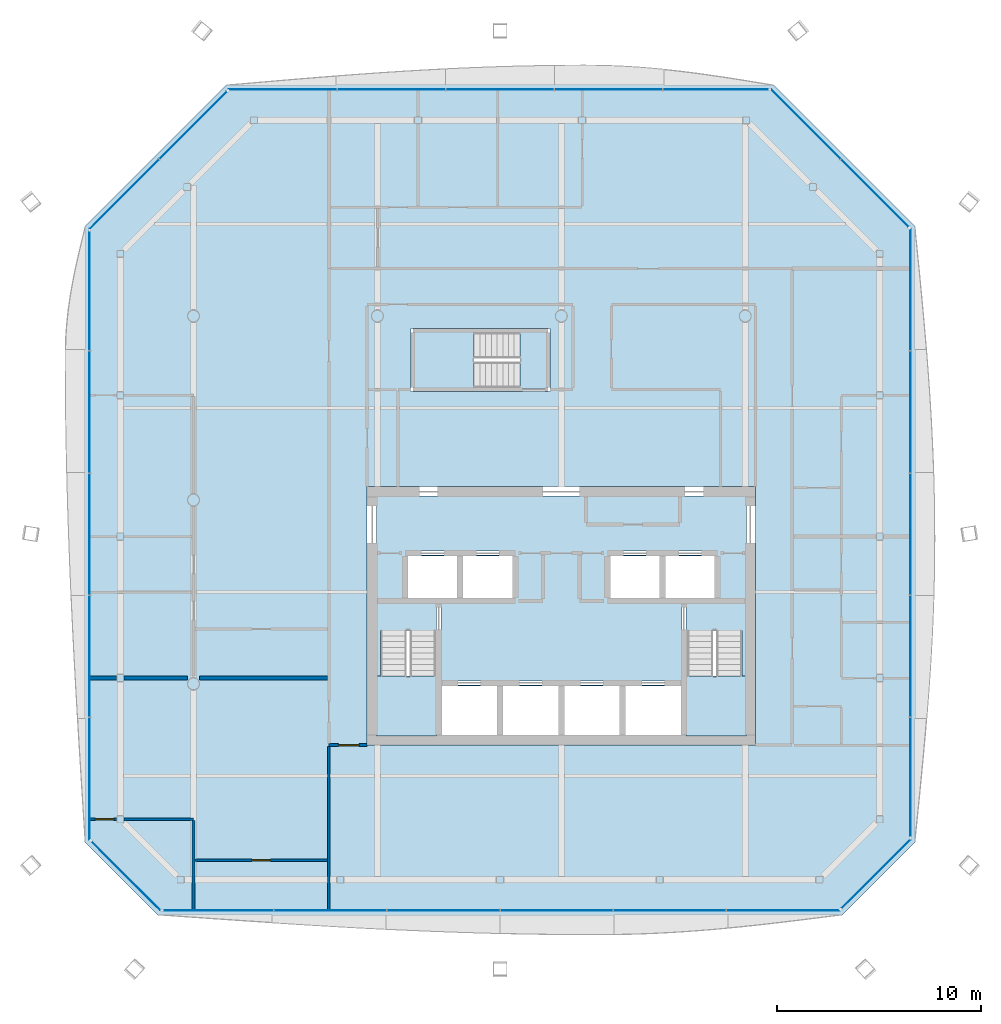
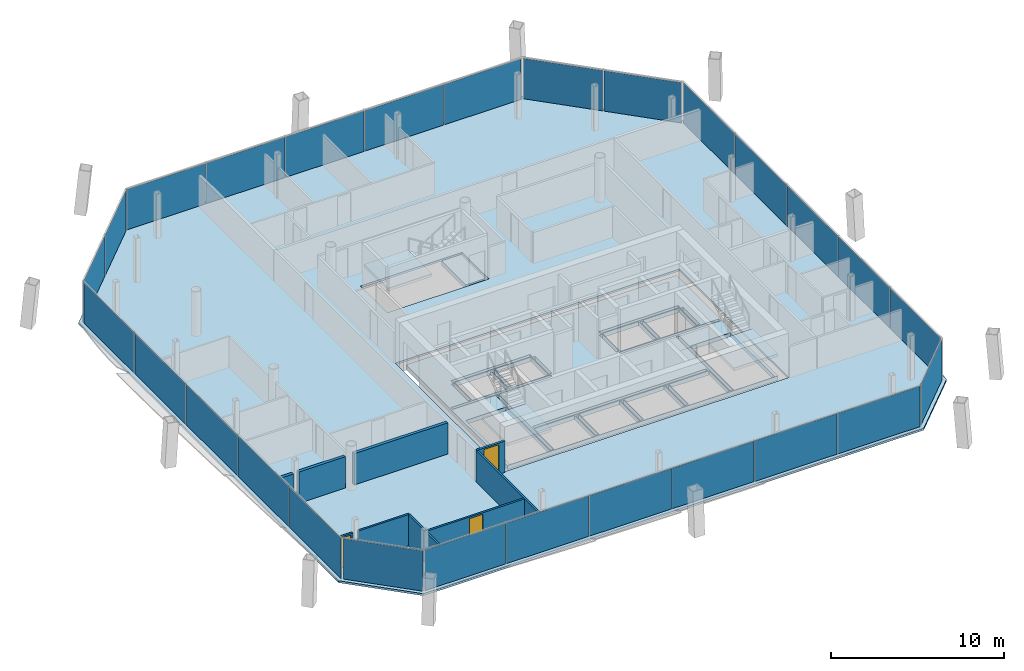
# One storey, part 13 of 20: 27 plates, 9 walls, 6 slabs, 3 doors, 3 openings, 11 elements without a shape of their own.
"""IFC4 building model written with IfcOpenShell, lengths in metres."""

from ifc_helpers import new_model, si_unit, direction, frame, frame_2d, origin, origin_2d, place, context, subcontext, project, spatial, polyline, rectangle, outline, extrude, material, layer, layer_set, type_object, element, fill, aggregate, save


model = new_model("IFC4")

# Units and contexts
model_context = context("Model", 3, precision=1e-05, world=origin(), true_north=direction((0.0, 1.0)))
body_context = subcontext(model_context, "Body", "Model", "MODEL_VIEW")
ifc_project = project(units=[si_unit("LENGTHUNIT", "METRE"), si_unit("AREAUNIT", "SQUARE_METRE"), si_unit("VOLUMEUNIT", "CUBIC_METRE"), si_unit("PLANEANGLEUNIT", "RADIAN"), si_unit("MASSUNIT", "GRAM", prefix="KILO")], contexts=[model_context])

# Site, building, storey
site_placement = place(None, origin())
site = spatial("IfcSite", under=ifc_project, at=site_placement, CompositionType="ELEMENT")
building_placement = place(site_placement, origin())
building = spatial("IfcBuilding", under=site, at=building_placement, Name="Tskaro Facet Tower", CompositionType="ELEMENT")
storey_placement = place(building_placement, frame((0.0, 0.0, 194.25)))
storey = spatial("IfcBuildingStorey", under=building, at=storey_placement, Name="L49", CompositionType="ELEMENT", Elevation=194.25)

# Slab
ifc_material_1 = material(Name="Concrete C30/37", Category="concrete")
ifc_layer_1 = layer(ifc_material_1, 0.139892578125, Name="Concrete C30/37")
ifc_layer_set_1 = layer_set([ifc_layer_1], Name="Concrete C30/37")
slab_type_1 = type_object("IfcSlabType", Name="Composite deck floor slab", PredefinedType="FLOOR", material=ifc_layer_set_1)
slab_1_placement = place(storey_placement, frame((0.0, 0.0, -0.139892578125)))
element("IfcSlab", 1, at=slab_1_placement, inside=storey, type_object=slab_type_1, Name="Floor slab FS3 L49", PredefinedType="FLOOR", context=body_context, shape_type="SweptSolid", body=[
    extrude(outline(polyline([(-19.721923828125, -20.330078125), (13.721923828125, -20.330078125), (17.330078125, -16.721923828125), (17.330078125, 13.3740234375), (10.3740234375, 20.330078125), (-16.3740234375, 20.330078125), (-23.330078125, 13.3740234375), (-23.330078125, -16.721923828125), (-19.721923828125, -20.330078125)]), holes=[polyline([(-9.5, -12.0), (9.5, -12.0), (9.5, 0.64990234375), (-9.5, 0.64990234375), (-9.5, -12.0)]), polyline([(-7.35009765625, 5.300048828125), (-0.550048828125, 5.300048828125), (-0.550048828125, 8.39990234375), (-7.35009765625, 8.39990234375), (-7.35009765625, 5.300048828125)])]), origin(), (0.0, 0.0, 1.0), 0.139892578125),
])

# Curtain wall, plates
ifc_material_2 = material(Name="Bronze anodised aluminium 6063-T6", Category="aluminium")
curtain_wall_type = type_object("IfcCurtainWallType", Name="Bronze residence curtain wall (FW3)", PredefinedType="NOTDEFINED", material=ifc_material_2)
curtain_wall_1_placement = place(storey_placement, origin())
curtain_wall_1 = element("IfcCurtainWall", 2, at=curtain_wall_1_placement, inside=storey, type_object=curtain_wall_type, Name="FW3 south facet L49", PredefinedType="NOTDEFINED")
ifc_material_3 = material(Name="Bronze low-iron glass", Category="glass")
ifc_layer_2 = layer(ifc_material_3, 0.028076171875, Name="Bronze low-iron glass")
ifc_layer_set_2 = layer_set([ifc_layer_2], Name="Bronze low-iron glass")
plate_type = type_object("IfcPlateType", Name="FW3 bronze-tinted unit glazing 28", PredefinedType="CURTAIN_PANEL", material=ifc_layer_set_2)
plate_1_placement = place(storey_placement, frame((-16.790771484375, -20.080078125, 0.0), z_axis=(0.0, 0.0, 1.0), x_axis=(1.0, 0.0, 0.0)))
plate_1 = element("IfcPlate", 3, at=plate_1_placement, type_object=plate_type, Name="FW3 south glazing 1.1", PredefinedType="CURTAIN_PANEL", context=body_context, shape_type="SweptSolid", body=[
    extrude(rectangle(XDim=5.374267578125, YDim=0.028076171875, at=origin_2d()), origin(), (0.0, 0.0, 1.0), 2.860107421875),
])
plate_2_placement = place(storey_placement, frame((-11.30908203125, -20.080078125, 0.0), z_axis=(0.0, 0.0, 1.0), x_axis=(1.0, 0.0, 0.0)))
plate_2 = element("IfcPlate", 4, at=plate_2_placement, type_object=plate_type, Name="FW3 south glazing 2.1", PredefinedType="CURTAIN_PANEL", context=body_context, shape_type="SweptSolid", body=[
    extrude(rectangle(XDim=5.4892578125, YDim=0.028076171875, at=origin_2d()), origin(), (0.0, 0.0, 1.0), 2.860107421875),
])
plate_3_placement = place(storey_placement, frame((-5.769775390625, -20.080078125, 0.0), z_axis=(0.0, 0.0, 1.0), x_axis=(1.0, 0.0, 0.0)))
plate_3 = element("IfcPlate", 5, at=plate_3_placement, type_object=plate_type, Name="FW3 south glazing 3.1", PredefinedType="CURTAIN_PANEL", context=body_context, shape_type="SweptSolid", body=[
    extrude(rectangle(XDim=5.4892578125, YDim=0.028076171875, at=origin_2d()), origin(), (0.0, 0.0, 1.0), 2.860107421875),
])
plate_4_placement = place(storey_placement, frame((-0.230224609375, -20.080078125, 0.0), z_axis=(0.0, 0.0, 1.0), x_axis=(1.0, 0.0, 0.0)))
plate_4 = element("IfcPlate", 6, at=plate_4_placement, type_object=plate_type, Name="FW3 south glazing 4.1", PredefinedType="CURTAIN_PANEL", context=body_context, shape_type="SweptSolid", body=[
    extrude(rectangle(XDim=5.4892578125, YDim=0.028076171875, at=origin_2d()), origin(), (0.0, 0.0, 1.0), 2.860107421875),
])
plate_5_placement = place(storey_placement, frame((5.30908203125, -20.080078125, 0.0), z_axis=(0.0, 0.0, 1.0), x_axis=(1.0, 0.0, 0.0)))
plate_5 = element("IfcPlate", 7, at=plate_5_placement, type_object=plate_type, Name="FW3 south glazing 5.1", PredefinedType="CURTAIN_PANEL", context=body_context, shape_type="SweptSolid", body=[
    extrude(rectangle(XDim=5.4892578125, YDim=0.028076171875, at=origin_2d()), origin(), (0.0, 0.0, 1.0), 2.860107421875),
])
plate_6_placement = place(storey_placement, frame((10.86083984375, -20.080078125, 0.0), z_axis=(0.0, 0.0, 1.0), x_axis=(1.0, 0.0, 0.0)))
plate_6 = element("IfcPlate", 8, at=plate_6_placement, type_object=plate_type, Name="FW3 south glazing 6.1", PredefinedType="CURTAIN_PANEL", context=body_context, shape_type="SweptSolid", body=[
    extrude(rectangle(XDim=5.514404296875, YDim=0.028076171875, at=origin_2d()), origin(), (0.0, 0.0, 1.0), 2.860107421875),
])
aggregate(curtain_wall_1, [plate_1, plate_2, plate_3, plate_4, plate_5, plate_6])

# Curtain wall, plate
curtain_wall_2_placement = place(storey_placement, origin())
curtain_wall_2 = element("IfcCurtainWall", 9, at=curtain_wall_2_placement, inside=storey, type_object=curtain_wall_type, Name="FW3 south-east facet L49", PredefinedType="NOTDEFINED")
plate_7_placement = place(storey_placement, frame((15.3984375, -18.299560546875, 0.0), z_axis=(0.0, 0.0, 1.0), x_axis=(0.707106781187, 0.707106781187, 0.0)))
plate_7 = element("IfcPlate", 10, at=plate_7_placement, type_object=plate_type, Name="FW3 south-east glazing 1.1", PredefinedType="CURTAIN_PANEL", context=body_context, shape_type="SweptSolid", body=[
    extrude(rectangle(XDim=4.756103515625, YDim=0.028076171875, at=origin_2d()), origin(), (0.0, 0.0, 1.0), 2.860107421875),
])
aggregate(curtain_wall_2, [plate_7])

# Curtain wall, plates
curtain_wall_3_placement = place(storey_placement, origin())
curtain_wall_3 = element("IfcCurtainWall", 11, at=curtain_wall_3_placement, inside=storey, type_object=curtain_wall_type, Name="FW3 east facet L49", PredefinedType="NOTDEFINED")
plate_8_placement = place(storey_placement, frame((17.080078125, -13.57177734375, 0.0), z_axis=(0.0, 0.0, 1.0), x_axis=(0.0, 1.0, 0.0)))
plate_8 = element("IfcPlate", 12, at=plate_8_placement, type_object=plate_type, Name="FW3 east glazing 1.1", PredefinedType="CURTAIN_PANEL", context=body_context, shape_type="SweptSolid", body=[
    extrude(rectangle(XDim=5.8125, YDim=0.028076171875, at=origin_2d()), origin(), (0.0, 0.0, 1.0), 2.860107421875),
])
plate_9_placement = place(storey_placement, frame((17.080078125, -7.651611328125, 0.0), z_axis=(0.0, 0.0, 1.0), x_axis=(0.0, 1.0, 0.0)))
plate_9 = element("IfcPlate", 13, at=plate_9_placement, type_object=plate_type, Name="FW3 east glazing 2.1", PredefinedType="CURTAIN_PANEL", context=body_context, shape_type="SweptSolid", body=[
    extrude(rectangle(XDim=5.927490234375, YDim=0.028076171875, at=origin_2d()), origin(), (0.0, 0.0, 1.0), 2.860107421875),
])
plate_10_placement = place(storey_placement, frame((17.080078125, -1.674072265625, 0.0), z_axis=(0.0, 0.0, 1.0), x_axis=(0.0, 1.0, 0.0)))
plate_10 = element("IfcPlate", 14, at=plate_10_placement, type_object=plate_type, Name="FW3 east glazing 3.1", PredefinedType="CURTAIN_PANEL", context=body_context, shape_type="SweptSolid", body=[
    extrude(rectangle(XDim=5.927490234375, YDim=0.028076171875, at=origin_2d()), origin(), (0.0, 0.0, 1.0), 2.860107421875),
])
plate_11_placement = place(storey_placement, frame((17.080078125, 4.3037109375, 0.0), z_axis=(0.0, 0.0, 1.0), x_axis=(0.0, 1.0, 0.0)))
plate_11 = element("IfcPlate", 15, at=plate_11_placement, type_object=plate_type, Name="FW3 east glazing 4.1", PredefinedType="CURTAIN_PANEL", context=body_context, shape_type="SweptSolid", body=[
    extrude(rectangle(XDim=5.927490234375, YDim=0.028076171875, at=origin_2d()), origin(), (0.0, 0.0, 1.0), 2.860107421875),
])
plate_12_placement = place(storey_placement, frame((17.080078125, 10.293701171875, 0.0), z_axis=(0.0, 0.0, 1.0), x_axis=(0.0, 1.0, 0.0)))
plate_12 = element("IfcPlate", 16, at=plate_12_placement, type_object=plate_type, Name="FW3 east glazing 5.1", PredefinedType="CURTAIN_PANEL", context=body_context, shape_type="SweptSolid", body=[
    extrude(rectangle(XDim=5.95263671875, YDim=0.028076171875, at=origin_2d()), origin(), (0.0, 0.0, 1.0), 2.860107421875),
])
aggregate(curtain_wall_3, [plate_8, plate_9, plate_10, plate_11, plate_12])

curtain_wall_4_placement = place(storey_placement, origin())
curtain_wall_4 = element("IfcCurtainWall", 17, at=curtain_wall_4_placement, inside=storey, type_object=curtain_wall_type, Name="FW3 north-east facet L49", PredefinedType="NOTDEFINED")
plate_13_placement = place(storey_placement, frame((15.3369140625, 15.01318359375, 0.0), z_axis=(0.0, 0.0, 1.0), x_axis=(-0.707106781187, 0.707106781187, 0.0)))
plate_13 = element("IfcPlate", 18, at=plate_13_placement, type_object=plate_type, Name="FW3 north-east glazing 1.1", PredefinedType="CURTAIN_PANEL", context=body_context, shape_type="SweptSolid", body=[
    extrude(rectangle(XDim=4.650390625, YDim=0.028076171875, at=origin_2d()), origin(), (0.0, 0.0, 1.0), 2.860107421875),
])
plate_14_placement = place(storey_placement, frame((11.963623046875, 18.38623046875, 0.0), z_axis=(0.0, 0.0, 1.0), x_axis=(-0.707106781187, 0.707106781187, 0.0)))
plate_14 = element("IfcPlate", 19, at=plate_14_placement, type_object=plate_type, Name="FW3 north-east glazing 2.1", PredefinedType="CURTAIN_PANEL", context=body_context, shape_type="SweptSolid", body=[
    extrude(rectangle(XDim=4.790283203125, YDim=0.028076171875, at=origin_2d()), origin(), (0.0, 0.0, 1.0), 2.860107421875),
])
aggregate(curtain_wall_4, [plate_13, plate_14])

curtain_wall_5_placement = place(storey_placement, origin())
curtain_wall_5 = element("IfcCurtainWall", 20, at=curtain_wall_5_placement, inside=storey, type_object=curtain_wall_type, Name="FW3 north facet L49", PredefinedType="NOTDEFINED")
plate_15_placement = place(storey_placement, frame((7.55859375, 20.080078125, 0.0), z_axis=(0.0, 0.0, 1.0), x_axis=(-1.0, 0.0, 0.0)))
plate_15 = element("IfcPlate", 21, at=plate_15_placement, type_object=plate_type, Name="FW3 north glazing 1.1", PredefinedType="CURTAIN_PANEL", context=body_context, shape_type="SweptSolid", body=[
    extrude(rectangle(XDim=5.14306640625, YDim=0.028076171875, at=origin_2d()), origin(), (0.0, 0.0, 1.0), 2.860107421875),
])
plate_16_placement = place(storey_placement, frame((2.30810546875, 20.080078125, 0.0), z_axis=(0.0, 0.0, 1.0), x_axis=(-1.0, 0.0, 0.0)))
plate_16 = element("IfcPlate", 22, at=plate_16_placement, type_object=plate_type, Name="FW3 north glazing 2.1", PredefinedType="CURTAIN_PANEL", context=body_context, shape_type="SweptSolid", body=[
    extrude(rectangle(XDim=5.258056640625, YDim=0.028076171875, at=origin_2d()), origin(), (0.0, 0.0, 1.0), 2.860107421875),
])
plate_17_placement = place(storey_placement, frame((-3.0, 20.080078125, 0.0), z_axis=(0.0, 0.0, 1.0), x_axis=(-1.0, 0.0, 0.0)))
plate_17 = element("IfcPlate", 23, at=plate_17_placement, type_object=plate_type, Name="FW3 north glazing 3.1", PredefinedType="CURTAIN_PANEL", context=body_context, shape_type="SweptSolid", body=[
    extrude(rectangle(XDim=5.258056640625, YDim=0.028076171875, at=origin_2d()), origin(), (0.0, 0.0, 1.0), 2.860107421875),
])
plate_18_placement = place(storey_placement, frame((-8.30810546875, 20.080078125, 0.0), z_axis=(0.0, 0.0, 1.0), x_axis=(-1.0, 0.0, 0.0)))
plate_18 = element("IfcPlate", 24, at=plate_18_placement, type_object=plate_type, Name="FW3 north glazing 4.1", PredefinedType="CURTAIN_PANEL", context=body_context, shape_type="SweptSolid", body=[
    extrude(rectangle(XDim=5.258056640625, YDim=0.028076171875, at=origin_2d()), origin(), (0.0, 0.0, 1.0), 2.860107421875),
])
plate_19_placement = place(storey_placement, frame((-13.62841796875, 20.080078125, 0.0), z_axis=(0.0, 0.0, 1.0), x_axis=(-1.0, 0.0, 0.0)))
plate_19 = element("IfcPlate", 25, at=plate_19_placement, type_object=plate_type, Name="FW3 north glazing 5.1", PredefinedType="CURTAIN_PANEL", context=body_context, shape_type="SweptSolid", body=[
    extrude(rectangle(XDim=5.282958984375, YDim=0.028076171875, at=origin_2d()), origin(), (0.0, 0.0, 1.0), 2.860107421875),
])
aggregate(curtain_wall_5, [plate_15, plate_16, plate_17, plate_18, plate_19])

curtain_wall_6_placement = place(storey_placement, origin())
curtain_wall_6 = element("IfcCurtainWall", 26, at=curtain_wall_6_placement, inside=storey, type_object=curtain_wall_type, Name="FW3 north-west facet L49", PredefinedType="NOTDEFINED")
plate_20_placement = place(storey_placement, frame((-18.01318359375, 18.3369140625, 0.0), z_axis=(0.0, 0.0, 1.0), x_axis=(-0.707106781187, -0.707106781187, 0.0)))
plate_20 = element("IfcPlate", 27, at=plate_20_placement, type_object=plate_type, Name="FW3 north-west glazing 1.1", PredefinedType="CURTAIN_PANEL", context=body_context, shape_type="SweptSolid", body=[
    extrude(rectangle(XDim=4.650390625, YDim=0.028076171875, at=origin_2d()), origin(), (0.0, 0.0, 1.0), 2.860107421875),
])
plate_21_placement = place(storey_placement, frame((-21.38623046875, 14.963623046875, 0.0), z_axis=(0.0, 0.0, 1.0), x_axis=(-0.707106781187, -0.707106781187, 0.0)))
plate_21 = element("IfcPlate", 28, at=plate_21_placement, type_object=plate_type, Name="FW3 north-west glazing 2.1", PredefinedType="CURTAIN_PANEL", context=body_context, shape_type="SweptSolid", body=[
    extrude(rectangle(XDim=4.790283203125, YDim=0.028076171875, at=origin_2d()), origin(), (0.0, 0.0, 1.0), 2.860107421875),
])
aggregate(curtain_wall_6, [plate_20, plate_21])

curtain_wall_7_placement = place(storey_placement, origin())
curtain_wall_7 = element("IfcCurtainWall", 29, at=curtain_wall_7_placement, inside=storey, type_object=curtain_wall_type, Name="FW3 west facet L49", PredefinedType="NOTDEFINED")
plate_22_placement = place(storey_placement, frame((-23.080078125, 10.2236328125, 0.0), z_axis=(0.0, 0.0, 1.0), x_axis=(0.0, -1.0, 0.0)))
plate_22 = element("IfcPlate", 30, at=plate_22_placement, type_object=plate_type, Name="FW3 west glazing 1.1", PredefinedType="CURTAIN_PANEL", context=body_context, shape_type="SweptSolid", body=[
    extrude(rectangle(XDim=5.8125, YDim=0.028076171875, at=origin_2d()), origin(), (0.0, 0.0, 1.0), 2.860107421875),
])
plate_23_placement = place(storey_placement, frame((-23.080078125, 4.3037109375, 0.0), z_axis=(0.0, 0.0, 1.0), x_axis=(0.0, -1.0, 0.0)))
plate_23 = element("IfcPlate", 31, at=plate_23_placement, type_object=plate_type, Name="FW3 west glazing 2.1", PredefinedType="CURTAIN_PANEL", context=body_context, shape_type="SweptSolid", body=[
    extrude(rectangle(XDim=5.927490234375, YDim=0.028076171875, at=origin_2d()), origin(), (0.0, 0.0, 1.0), 2.860107421875),
])
plate_24_placement = place(storey_placement, frame((-23.080078125, -1.674072265625, 0.0), z_axis=(0.0, 0.0, 1.0), x_axis=(0.0, -1.0, 0.0)))
plate_24 = element("IfcPlate", 32, at=plate_24_placement, type_object=plate_type, Name="FW3 west glazing 3.1", PredefinedType="CURTAIN_PANEL", context=body_context, shape_type="SweptSolid", body=[
    extrude(rectangle(XDim=5.927490234375, YDim=0.028076171875, at=origin_2d()), origin(), (0.0, 0.0, 1.0), 2.860107421875),
])
plate_25_placement = place(storey_placement, frame((-23.080078125, -7.651611328125, 0.0), z_axis=(0.0, 0.0, 1.0), x_axis=(0.0, -1.0, 0.0)))
plate_25 = element("IfcPlate", 33, at=plate_25_placement, type_object=plate_type, Name="FW3 west glazing 4.1", PredefinedType="CURTAIN_PANEL", context=body_context, shape_type="SweptSolid", body=[
    extrude(rectangle(XDim=5.927490234375, YDim=0.028076171875, at=origin_2d()), origin(), (0.0, 0.0, 1.0), 2.860107421875),
])
plate_26_placement = place(storey_placement, frame((-23.080078125, -13.6416015625, 0.0), z_axis=(0.0, 0.0, 1.0), x_axis=(0.0, -1.0, 0.0)))
plate_26 = element("IfcPlate", 34, at=plate_26_placement, type_object=plate_type, Name="FW3 west glazing 5.1", PredefinedType="CURTAIN_PANEL", context=body_context, shape_type="SweptSolid", body=[
    extrude(rectangle(XDim=5.95263671875, YDim=0.028076171875, at=origin_2d()), origin(), (0.0, 0.0, 1.0), 2.860107421875),
])
aggregate(curtain_wall_7, [plate_22, plate_23, plate_24, plate_25, plate_26])

# Curtain wall, plate
curtain_wall_8_placement = place(storey_placement, origin())
curtain_wall_8 = element("IfcCurtainWall", 35, at=curtain_wall_8_placement, inside=storey, type_object=curtain_wall_type, Name="FW3 south-west facet L49", PredefinedType="NOTDEFINED")
plate_27_placement = place(storey_placement, frame((-21.299560546875, -18.3984375, 0.0), z_axis=(0.0, 0.0, 1.0), x_axis=(0.707106781187, -0.707106781187, 0.0)))
plate_27 = element("IfcPlate", 36, at=plate_27_placement, type_object=plate_type, Name="FW3 south-west glazing 1.1", PredefinedType="CURTAIN_PANEL", context=body_context, shape_type="SweptSolid", body=[
    extrude(rectangle(XDim=4.756103515625, YDim=0.028076171875, at=origin_2d()), origin(), (0.0, 0.0, 1.0), 2.860107421875),
])
aggregate(curtain_wall_8, [plate_27])

# Stair, slab
ifc_material_4 = material(Name="Concrete C40/50", Category="concrete")
stair_type = type_object("IfcStairType", Name="ST-TWR", PredefinedType="HALF_TURN_STAIR", material=ifc_material_4)
stair_1_placement = place(storey_placement, origin())
stair_1 = element("IfcStair", 37, at=stair_1_placement, inside=storey, type_object=stair_type, Name="L49 Exit stair 1", PredefinedType="HALF_TURN_STAIR")
ifc_layer_3 = layer(ifc_material_4, 0.199951171875, Name="Concrete C40/50")
ifc_layer_set_3 = layer_set([ifc_layer_3], Name="Concrete C40/50")
slab_type_2 = type_object("IfcSlabType", Name="SL-LANDING", PredefinedType="LANDING", material=ifc_layer_set_3)
slab_2_placement = place(storey_placement, frame((0.0, 0.0, 1.375)))
slab_2 = element("IfcSlab", 38, at=slab_2_placement, type_object=slab_type_2, Name="ST-1 landing 1", PredefinedType="LANDING", context=body_context, shape_type="SweptSolid", body=[
    extrude(outline(polyline([(-9.050048828125, -11.550048828125), (-6.10009765625, -11.550048828125), (-6.10009765625, -8.614990234375), (-9.050048828125, -8.614990234375), (-9.050048828125, -11.550048828125)])), origin(), (0.0, 0.0, 1.0), 0.199951171875),
])
aggregate(stair_1, [slab_2])

stair_2_placement = place(storey_placement, origin())
stair_2 = element("IfcStair", 39, at=stair_2_placement, inside=storey, type_object=stair_type, Name="L49 Exit stair 2", PredefinedType="HALF_TURN_STAIR")
slab_3_placement = place(storey_placement, frame((0.0, 0.0, 1.375)))
slab_3 = element("IfcSlab", 40, at=slab_3_placement, type_object=slab_type_2, Name="ST-2 landing 1", PredefinedType="LANDING", context=body_context, shape_type="SweptSolid", body=[
    extrude(outline(polyline([(6.10009765625, -11.550048828125), (9.050048828125, -11.550048828125), (9.050048828125, -8.614990234375), (6.10009765625, -8.614990234375), (6.10009765625, -11.550048828125)])), origin(), (0.0, 0.0, 1.0), 0.199951171875),
])
aggregate(stair_2, [slab_3])

stair_3_placement = place(storey_placement, origin())
stair_3 = element("IfcStair", 41, at=stair_3_placement, inside=storey, type_object=stair_type, Name="L49 Exit stair 3", PredefinedType="HALF_TURN_STAIR")
slab_4_placement = place(storey_placement, frame((0.0, 0.0, 1.375)))
slab_4 = element("IfcSlab", 42, at=slab_4_placement, type_object=slab_type_2, Name="ST-3 landing 1", PredefinedType="LANDING", context=body_context, shape_type="SweptSolid", body=[
    extrude(outline(polyline([(-7.199951171875, 5.449951171875), (-4.264892578125, 5.449951171875), (-4.264892578125, 8.25), (-7.199951171875, 8.25), (-7.199951171875, 5.449951171875)])), origin(), (0.0, 0.0, 1.0), 0.199951171875),
])
aggregate(stair_3, [slab_4])

# Slabs
ifc_material_5 = material(Name="Concrete C60/75", Category="concrete")
ifc_layer_4 = layer(ifc_material_5, 0.300048828125, Name="Concrete C60/75")
ifc_layer_set_4 = layer_set([ifc_layer_4], Name="Concrete C60/75")
slab_type_3 = type_object("IfcSlabType", Name="SLAB-CORE", PredefinedType="FLOOR", material=ifc_layer_set_4)
slab_5_placement = place(storey_placement, frame((0.0, 0.0, -0.300048828125)))
element("IfcSlab", 43, at=slab_5_placement, inside=storey, type_object=slab_type_3, Name="Core floor slab 1", PredefinedType="FLOOR", context=body_context, shape_type="SweptSolid", body=[
    extrude(outline(polyline([(-9.050048828125, 0.199951171875), (9.050048828125, 0.199951171875), (9.050048828125, 0.10009765625), (9.050048828125, -11.449951171875), (9.050048828125, -11.550048828125), (-9.050048828125, -11.550048828125), (-9.050048828125, -11.449951171875), (-9.050048828125, 0.10009765625), (-9.050048828125, 0.199951171875)]), holes=[polyline([(-5.85009765625, -9.10009765625), (-5.85009765625, -11.5), (-3.14990234375, -11.5), (-3.14990234375, -9.10009765625), (-5.85009765625, -9.10009765625)]), polyline([(-3.10009765625, -11.449951171875), (-2.89990234375, -11.449951171875), (-2.89990234375, -9.14990234375), (-3.10009765625, -9.14990234375), (-3.10009765625, -11.449951171875)]), polyline([(-2.85009765625, -9.10009765625), (-2.85009765625, -11.5), (-0.14990234375, -11.5), (-0.14990234375, -9.10009765625), (-2.85009765625, -9.10009765625)]), polyline([(-6.10009765625, -11.449951171875), (-5.89990234375, -11.449951171875), (-5.89990234375, -5.14990234375), (-6.10009765625, -5.14990234375), (-6.10009765625, -11.449951171875)]), polyline([(-8.949951171875, -5.050048828125), (-2.300048828125, -5.050048828125), (-2.300048828125, -4.85009765625), (-8.949951171875, -4.85009765625), (-8.949951171875, -5.050048828125)]), polyline([(-7.75, -4.75), (-7.550048828125, -4.75), (-7.550048828125, -2.800048828125), (-7.75, -2.800048828125), (-7.75, -4.75)]), polyline([(-5.10009765625, -2.75), (-7.5, -2.75), (-7.5, -4.800048828125), (-5.10009765625, -4.800048828125), (-5.10009765625, -2.75)]), polyline([(-5.050048828125, -4.75), (-4.85009765625, -4.75), (-4.85009765625, -2.800048828125), (-5.050048828125, -2.800048828125), (-5.050048828125, -4.75)]), polyline([(-2.39990234375, -2.75), (-4.800048828125, -2.75), (-4.800048828125, -4.800048828125), (-2.39990234375, -4.800048828125), (-2.39990234375, -2.75)]), polyline([(-2.35009765625, -4.75), (-2.14990234375, -4.75), (-2.14990234375, -2.800048828125), (-2.35009765625, -2.800048828125), (-2.35009765625, -4.75)]), polyline([(-7.60009765625, -2.699951171875), (-2.300048828125, -2.699951171875), (-2.300048828125, -2.5), (-7.60009765625, -2.5), (-7.60009765625, -2.699951171875)]), polyline([(-0.10009765625, -11.449951171875), (0.10009765625, -11.449951171875), (0.10009765625, -9.14990234375), (-0.10009765625, -9.14990234375), (-0.10009765625, -11.449951171875)]), polyline([(0.14990234375, -9.10009765625), (0.14990234375, -11.5), (2.85009765625, -11.5), (2.85009765625, -9.10009765625), (0.14990234375, -9.10009765625)]), polyline([(2.89990234375, -11.449951171875), (3.10009765625, -11.449951171875), (3.10009765625, -9.14990234375), (2.89990234375, -9.14990234375), (2.89990234375, -11.449951171875)]), polyline([(3.14990234375, -9.10009765625), (3.14990234375, -11.5), (5.85009765625, -11.5), (5.85009765625, -9.10009765625), (3.14990234375, -9.10009765625)]), polyline([(-5.800048828125, -9.050048828125), (5.800048828125, -9.050048828125), (5.800048828125, -8.85009765625), (-5.800048828125, -8.85009765625), (-5.800048828125, -9.050048828125)]), polyline([(5.89990234375, -11.449951171875), (6.10009765625, -11.449951171875), (6.10009765625, -5.14990234375), (5.89990234375, -5.14990234375), (5.89990234375, -11.449951171875)]), polyline([(2.300048828125, -5.050048828125), (8.949951171875, -5.050048828125), (8.949951171875, -4.85009765625), (2.300048828125, -4.85009765625), (2.300048828125, -5.050048828125)]), polyline([(2.14990234375, -4.75), (2.35009765625, -4.75), (2.35009765625, -2.800048828125), (2.14990234375, -2.800048828125), (2.14990234375, -4.75)]), polyline([(4.800048828125, -2.75), (2.39990234375, -2.75), (2.39990234375, -4.800048828125), (4.800048828125, -4.800048828125), (4.800048828125, -2.75)]), polyline([(4.85009765625, -4.75), (5.050048828125, -4.75), (5.050048828125, -2.800048828125), (4.85009765625, -2.800048828125), (4.85009765625, -4.75)]), polyline([(7.5, -2.75), (5.10009765625, -2.75), (5.10009765625, -4.800048828125), (7.5, -4.800048828125), (7.5, -2.75)]), polyline([(7.550048828125, -4.75), (7.75, -4.75), (7.75, -2.800048828125), (7.550048828125, -2.800048828125), (7.550048828125, -4.75)]), polyline([(2.300048828125, -2.699951171875), (7.60009765625, -2.699951171875), (7.60009765625, -2.5), (2.300048828125, -2.5), (2.300048828125, -2.699951171875)]), polyline([(-8.85009765625, -11.5), (-6.14990234375, -11.5), (-6.14990234375, -6.39501953125), (-8.85009765625, -6.39501953125), (-8.85009765625, -11.5)]), polyline([(6.14990234375, -6.39501953125), (6.14990234375, -11.5), (8.85009765625, -11.5), (8.85009765625, -6.39501953125), (6.14990234375, -6.39501953125)])]), origin(), (0.0, 0.0, 1.0), 0.300048828125),
])
slab_6_placement = place(storey_placement, frame((0.0, 0.0, -0.300048828125)))
element("IfcSlab", 44, at=slab_6_placement, inside=storey, type_object=slab_type_3, Name="Stair 3 floor landing 1", PredefinedType="FLOOR", context=body_context, shape_type="SweptSolid", body=[
    extrude(outline(polyline([(-2.02490234375, 5.449951171875), (-0.699951171875, 5.449951171875), (-0.699951171875, 8.25), (-2.02490234375, 8.25), (-2.02490234375, 5.449951171875)])), origin(), (0.0, 0.0, 1.0), 0.300048828125),
])

# Wall, opening, door
ifc_material_6 = material(Name="Gypsum board on steel studs", Category="steel")
ifc_layer_5 = layer(ifc_material_6, 0.125, Name="Gypsum board on steel studs")
ifc_layer_set_5 = layer_set([ifc_layer_5], Name="Gypsum board on steel studs")
wall_type_1 = type_object("IfcWallType", Name="PART", PredefinedType="PARTITIONING", material=ifc_layer_set_5)
wall_1_placement = place(storey_placement, frame((-11.4375, -17.6298828125, 0.0), z_axis=(0.0, 0.0, 1.0), x_axis=(-1.0, 0.0, 0.0)))
wall_1 = element("IfcWall", 45, at=wall_1_placement, inside=storey, type_object=wall_type_1, Name="Partition W001", PredefinedType="PARTITIONING", context=body_context, shape_type="SweptSolid", body=[
    extrude(rectangle(XDim=6.5, YDim=0.125, at=frame_2d((3.25, 0.0))), origin(), (0.0, 0.0, 1.0), 2.2099609375),
])
opening_1_placement = place(wall_1_placement, frame((2.800048828125, 0.0, 0.0)))
opening_1 = element("IfcOpeningElement", 46, at=opening_1_placement, cuts=wall_1, Name="Opening T14-D01", PredefinedType="OPENING", context=body_context, shape_type="SweptSolid", body=[
    extrude(rectangle(XDim=0.89990234375, YDim=2.10009765625, at=frame_2d((0.449951171875, 1.050048828125))), frame((0.0, 0.072509765625, 0.0), z_axis=(0.0, -1.0, 0.0), x_axis=(1.0, 0.0, 0.0)), (0.0, 0.0, 1.0), 0.14501953125),
])
ifc_material_7 = material(Name="Timber", Category="wood")
door_type_1 = type_object("IfcDoorType", Name="D-ROOM", OperationType="NOTDEFINED", PredefinedType="DOOR", material=ifc_material_7)
door_1_placement = place(opening_1_placement, origin())
door_1 = element("IfcDoor", 47, at=door_1_placement, inside=storey, type_object=door_type_1, Name="Door T14-D01", OperationType="SINGLE_SWING_RIGHT", OverallHeight=2.10009765625, OverallWidth=0.89990234375, PredefinedType="DOOR", context=body_context, shape_type="SweptSolid", body=[
    extrude(rectangle(XDim=0.89990234375, YDim=2.10009765625, at=frame_2d((0.449951171875, 1.050048828125))), frame((0.0, 0.02490234375, 0.0), z_axis=(0.0, -1.0, 0.0), x_axis=(1.0, 0.0, 0.0)), (0.0, 0.0, 1.0), 0.050048828125),
])
fill(opening_1, door_1)

wall_2_placement = place(storey_placement, frame((-21.758056640625, -15.635009765625, 0.0), z_axis=(0.0, 0.0, 1.0), x_axis=(-1.0, 0.0, 0.0)))
wall_2 = element("IfcWall", 48, at=wall_2_placement, inside=storey, type_object=wall_type_1, Name="Partition W002", PredefinedType="PARTITIONING", context=body_context, shape_type="SweptSolid", body=[
    extrude(rectangle(XDim=1.27197265625, YDim=0.125, at=frame_2d((0.635986328125, 0.0))), origin(), (0.0, 0.0, 1.0), 2.2099609375),
])
opening_2_placement = place(wall_2_placement, frame((0.14990234375, 0.0, 0.0)))
opening_2 = element("IfcOpeningElement", 49, at=opening_2_placement, cuts=wall_2, Name="Opening T14-D02", PredefinedType="OPENING", context=body_context, shape_type="SweptSolid", body=[
    extrude(rectangle(XDim=0.89990234375, YDim=2.10009765625, at=frame_2d((0.449951171875, 1.050048828125))), frame((0.0, 0.072509765625, 0.0), z_axis=(0.0, -1.0, 0.0), x_axis=(1.0, 0.0, 0.0)), (0.0, 0.0, 1.0), 0.14501953125),
])
door_2_placement = place(opening_2_placement, origin())
door_2 = element("IfcDoor", 50, at=door_2_placement, inside=storey, type_object=door_type_1, Name="Door T14-D02", OperationType="SINGLE_SWING_RIGHT", OverallHeight=2.10009765625, OverallWidth=0.89990234375, PredefinedType="DOOR", context=body_context, shape_type="SweptSolid", body=[
    extrude(rectangle(XDim=0.89990234375, YDim=2.10009765625, at=frame_2d((0.449951171875, 1.050048828125))), frame((0.0, 0.02490234375, 0.0), z_axis=(0.0, -1.0, 0.0), x_axis=(1.0, 0.0, 0.0)), (0.0, 0.0, 1.0), 0.050048828125),
])
fill(opening_2, door_2)

# Walls
wall_3_placement = place(storey_placement, frame((-21.407958984375, -15.635009765625, 0.0), z_axis=(0.0, 0.0, 1.0), x_axis=(1.0, 0.0, 0.0)))
element("IfcWall", 51, at=wall_3_placement, inside=storey, type_object=wall_type_1, Name="Partition W003", PredefinedType="PARTITIONING", context=body_context, shape_type="SweptSolid", body=[
    extrude(rectangle(XDim=3.407958984375, YDim=0.125, at=frame_2d((1.7041015625, 0.0))), origin(), (0.0, 0.0, 1.0), 2.2099609375),
])
wall_4_placement = place(storey_placement, frame((-18.0, -20.030029296875, 0.0), z_axis=(0.0, 0.0, 1.0), x_axis=(0.0, 1.0, 0.0)))
element("IfcWall", 52, at=wall_4_placement, inside=storey, type_object=wall_type_1, Name="Partition W048", PredefinedType="PARTITIONING", context=body_context, shape_type="SweptSolid", body=[
    extrude(rectangle(XDim=4.33251953125, YDim=0.125, at=frame_2d((2.166259765625, 0.0))), origin(), (0.0, 0.0, 1.0), 2.2099609375),
])
wall_5_placement = place(storey_placement, frame((-11.375, -20.030029296875, 0.0), z_axis=(0.0, 0.0, 1.0), x_axis=(0.0, 1.0, 0.0)))
element("IfcWall", 53, at=wall_5_placement, inside=storey, type_object=wall_type_1, Name="Partition W051", PredefinedType="PARTITIONING", context=body_context, shape_type="SweptSolid", body=[
    extrude(rectangle(XDim=7.955078125, YDim=0.125, at=frame_2d((3.9775390625, 0.0))), origin(), (0.0, 0.0, 1.0), 2.2099609375),
])

# Wall, opening, door
ifc_layer_6 = layer(ifc_material_6, 0.14990234375, Name="Gypsum board on steel studs")
ifc_layer_set_6 = layer_set([ifc_layer_6], Name="Gypsum board on steel studs")
wall_type_2 = type_object("IfcWallType", Name="PART-CORR", PredefinedType="PARTITIONING", material=ifc_layer_set_6)
wall_6_placement = place(storey_placement, frame((-9.5, -12.0, 0.0), z_axis=(0.0, 0.0, 1.0), x_axis=(-1.0, 0.0, 0.0)))
wall_6 = element("IfcWall", 54, at=wall_6_placement, inside=storey, type_object=wall_type_2, Name="Corridor wall W004", PredefinedType="PARTITIONING", context=body_context, shape_type="SweptSolid", body=[
    extrude(rectangle(XDim=1.875, YDim=0.14990234375, at=frame_2d((0.9375, 0.0))), origin(), (0.0, 0.0, 1.0), 2.2099609375),
])
opening_3_placement = place(wall_6_placement, frame((0.39990234375, 0.0, 0.0)))
opening_3 = element("IfcOpeningElement", 55, at=opening_3_placement, cuts=wall_6, Name="Opening T14-D03", PredefinedType="OPENING", context=body_context, shape_type="SweptSolid", body=[
    extrude(rectangle(XDim=1.0, YDim=2.10009765625, at=frame_2d((0.5, 1.050048828125))), frame((0.0, 0.0849609375, 0.0), z_axis=(0.0, -1.0, 0.0), x_axis=(1.0, 0.0, 0.0)), (0.0, 0.0, 1.0), 0.169921875),
])
door_type_2 = type_object("IfcDoorType", Name="D-ROOM-WIDE", OperationType="NOTDEFINED", PredefinedType="DOOR", material=ifc_material_7)
door_3_placement = place(opening_3_placement, origin())
door_3 = element("IfcDoor", 56, at=door_3_placement, inside=storey, type_object=door_type_2, Name="Door T14-D03", OperationType="SINGLE_SWING_RIGHT", OverallHeight=2.10009765625, OverallWidth=1.0, PredefinedType="DOOR", context=body_context, shape_type="SweptSolid", body=[
    extrude(rectangle(XDim=1.0, YDim=2.10009765625, at=frame_2d((0.5, 1.050048828125))), frame((0.0, 0.02490234375, 0.0), z_axis=(0.0, -1.0, 0.0), x_axis=(1.0, 0.0, 0.0)), (0.0, 0.0, 1.0), 0.050048828125),
])
fill(opening_3, door_3)

# Walls
ifc_layer_7 = layer(ifc_material_6, 0.199951171875, Name="Gypsum board on steel studs")
ifc_layer_set_7 = layer_set([ifc_layer_7], Name="Gypsum board on steel studs")
wall_type_3 = type_object("IfcWallType", Name="PART-DEMISING", PredefinedType="PARTITIONING", material=ifc_layer_set_7)
wall_7_placement = place(storey_placement, frame((-23.030029296875, -8.715087890625, 0.0), z_axis=(0.0, 0.0, 1.0), x_axis=(1.0, 0.0, 0.0)))
element("IfcWall", 57, at=wall_7_placement, inside=storey, type_object=wall_type_3, Name="Guest room wall W009", PredefinedType="PARTITIONING", context=body_context, shape_type="SweptSolid", body=[
    extrude(rectangle(XDim=1.27197265625, YDim=0.199951171875, at=frame_2d((0.635986328125, 0.0))), origin(), (0.0, 0.0, 1.0), 2.2099609375),
])
wall_8_placement = place(storey_placement, frame((-21.407958984375, -8.715087890625, 0.0), z_axis=(0.0, 0.0, 1.0), x_axis=(1.0, 0.0, 0.0)))
element("IfcWall", 58, at=wall_8_placement, inside=storey, type_object=wall_type_3, Name="Guest room wall W010", PredefinedType="PARTITIONING", context=body_context, shape_type="SweptSolid", body=[
    extrude(rectangle(XDim=3.10302734375, YDim=0.199951171875, at=frame_2d((1.551513671875, 0.0))), origin(), (0.0, 0.0, 1.0), 2.2099609375),
])
wall_9_placement = place(storey_placement, frame((-17.695068359375, -8.715087890625, 0.0), z_axis=(0.0, 0.0, 1.0), x_axis=(1.0, 0.0, 0.0)))
element("IfcWall", 59, at=wall_9_placement, inside=storey, type_object=wall_type_3, Name="Guest room wall W011", PredefinedType="PARTITIONING", context=body_context, shape_type="SweptSolid", body=[
    extrude(rectangle(XDim=6.2451171875, YDim=0.199951171875, at=frame_2d((3.12255859375, 0.0))), origin(), (0.0, 0.0, 1.0), 2.2099609375),
])

save(model, "model.ifc")
